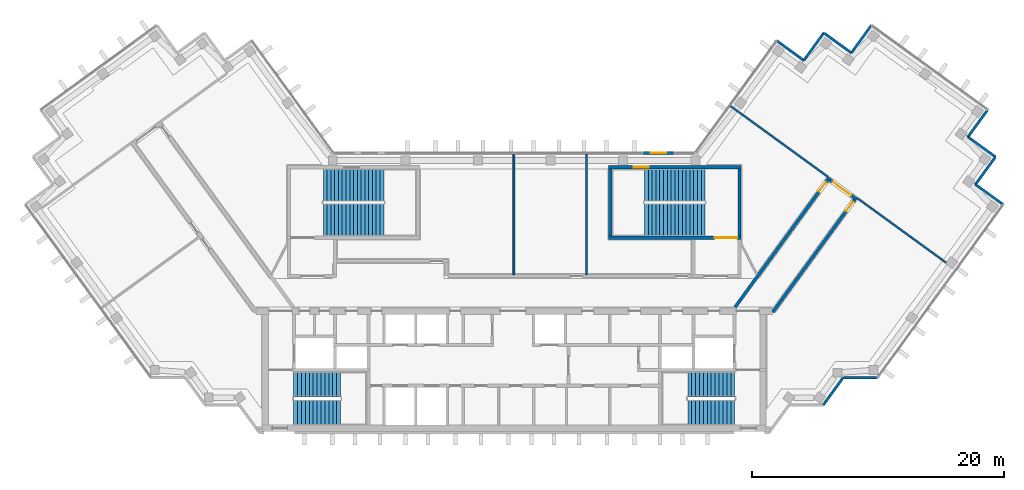
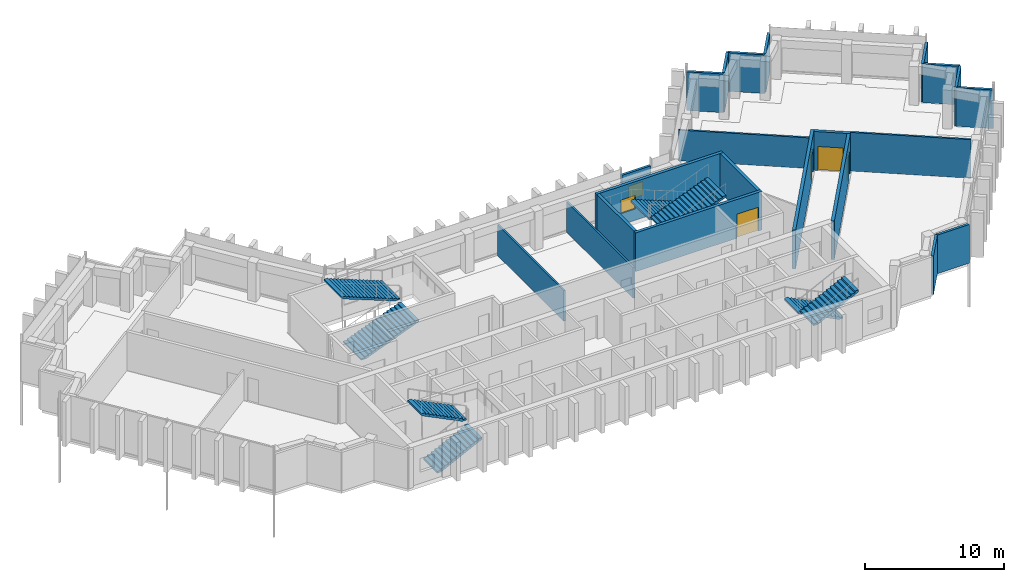
# One storey, part 11 of 13: 22 walls, 8 stair flights, 4 doors, 2 windows, 6 openings, 4 elements without a shape of their own.
"""IFC4 building model written with IfcOpenShell, lengths in metres."""

from ifc_helpers import new_model, si_unit, direction, frame, frame_2d, origin, place, context, subcontext, project, spatial, polyline, rectangle, outline, extrude, material, layer, layer_set, type_object, element, fill, aggregate, save


model = new_model("IFC4")

# Units and contexts
model_context = context("Model", 3, precision=1e-05, world=origin(), true_north=direction((0.0, 1.0)))
body_context = subcontext(model_context, "Body", "Model", "MODEL_VIEW")
ifc_project = project(units=[si_unit("LENGTHUNIT", "METRE"), si_unit("AREAUNIT", "SQUARE_METRE"), si_unit("VOLUMEUNIT", "CUBIC_METRE"), si_unit("PLANEANGLEUNIT", "RADIAN"), si_unit("MASSUNIT", "GRAM", prefix="KILO")], contexts=[model_context])

# Site, building, storey
site_placement = place(None, origin())
site = spatial("IfcSite", under=ifc_project, at=site_placement, CompositionType="ELEMENT")
building_placement = place(site_placement, origin())
building = spatial("IfcBuilding", under=site, at=building_placement, Name="Quipu Civic Tower", CompositionType="ELEMENT")
storey_placement = place(building_placement, frame((0.0, 0.0, 297.0)))
storey = spatial("IfcBuildingStorey", under=building, at=storey_placement, Name="L69", CompositionType="ELEMENT", Elevation=297.0)

# Walls
ifc_material_1 = material(Name="Double gypsum plasterboard with mineral wool")
ifc_layer_1 = layer(ifc_material_1, 0.14990234375)
ifc_layer_set_1 = layer_set([ifc_layer_1], Name="Double gypsum plasterboard with mineral wool")
wall_type_1 = type_object("IfcWallType", Name="Acoustic partition 150 plasterboard", PredefinedType="PARTITIONING", material=ifc_layer_set_1)
wall_1_placement = place(storey_placement, frame((24.89794921875, 9.20947265625, 0.0), z_axis=(0.0, 0.0, 1.0), x_axis=(-0.809013490065, 0.587790075531, 0.0)))
element("IfcWall", 1, at=wall_1_placement, inside=storey, type_object=wall_type_1, Name="Partition P01", PredefinedType="PARTITIONING", context=body_context, shape_type="SweptSolid", body=[
    extrude(rectangle(XDim=9.54931640625, YDim=0.14990234375, at=frame_2d((4.774658203125, 0.0))), origin(), (0.0, 0.0, 1.0), 2.699951171875),
])
wall_2_placement = place(storey_placement, frame((34.279296875, 2.39404296875, 0.0), z_axis=(0.0, 0.0, 1.0), x_axis=(-0.809032260458, 0.587764239758, 0.0)))
element("IfcWall", 2, at=wall_2_placement, inside=storey, type_object=wall_type_1, Name="Partition P02", PredefinedType="PARTITIONING", context=body_context, shape_type="SweptSolid", body=[
    extrude(rectangle(XDim=8.694580078125, YDim=0.14990234375, at=frame_2d((4.34716796875, 0.0))), origin(), (0.0, 0.0, 1.0), 3.39990234375),
])
for number, where, z_axis, x_axis, name in (
    (3, (-0.02001953125, 1.449951171875, 0.0), (0.0, 0.0, 1.0), (0.0, 1.0, 0.0), "Partition P05"),
    (4, (5.738037109375, 1.449951171875, 0.0), (0.0, 0.0, 1.0), (0.0, 1.0, 0.0), "Partition P07"),
):
    element("IfcWall", number, at=place(storey_placement, frame(where, z_axis=z_axis, x_axis=x_axis)), inside=storey, type_object=wall_type_1, Name=name, PredefinedType="PARTITIONING", context=body_context, shape_type="SweptSolid", body=[
        extrude(rectangle(XDim=9.550048828125, YDim=0.14990234375, at=frame_2d((4.77490234375, 0.0))), origin(), (0.0, 0.0, 1.0), 2.699951171875),
    ])

# Wall, opening, door
ifc_material_2 = material(Name="Concrete C70/85", Category="concrete")
ifc_layer_2 = layer(ifc_material_2, 0.25)
ifc_layer_set_2 = layer_set([ifc_layer_2], Name="Concrete C70/85")
wall_type_2 = type_object("IfcWallType", Name="Core wall 250", PredefinedType="SHEAR", material=ifc_layer_set_2)
wall_3_placement = place(storey_placement, frame((7.5, 4.375, 0.0), z_axis=(0.0, 0.0, 1.0), x_axis=(1.0, 0.0, 0.0)))
wall_3 = element("IfcWall", 5, at=wall_3_placement, inside=storey, type_object=wall_type_2, Name="Core wall", PredefinedType="SHEAR", context=body_context, shape_type="SweptSolid", body=[
    extrude(rectangle(XDim=10.5, YDim=0.25, at=frame_2d((5.25, 0.0))), origin(), (0.0, 0.0, 1.0), 3.39990234375),
])
opening_1_placement = place(wall_3_placement, frame((8.39990234375, 0.0, 0.0)))
opening_1 = element("IfcOpeningElement", 6, at=opening_1_placement, cuts=wall_3, Name="Opening CD-28", PredefinedType="OPENING", context=body_context, shape_type="SweptSolid", body=[
    extrude(rectangle(XDim=1.800048828125, YDim=2.10009765625, at=frame_2d((0.89990234375, 1.050048828125))), frame((0.0, 0.135009765625, 0.0), z_axis=(0.0, -1.0, 0.0), x_axis=(1.0, 0.0, 0.0)), (0.0, 0.0, 1.0), 0.27001953125),
])
ifc_material_3 = material(Name="Fire rated steel door", Category="steel")
door_type_1 = type_object("IfcDoorType", Name="Fire door FD90 double 1800 x 2100", OperationType="NOTDEFINED", PredefinedType="DOOR", material=ifc_material_3)
door_1_placement = place(opening_1_placement, origin())
door_1 = element("IfcDoor", 7, at=door_1_placement, inside=storey, type_object=door_type_1, Name="Door", OperationType="DOUBLE_DOOR_SINGLE_SWING", OverallHeight=2.10009765625, OverallWidth=1.800048828125, PredefinedType="DOOR", context=body_context, shape_type="SweptSolid", body=[
    extrude(rectangle(XDim=1.800048828125, YDim=2.10009765625, at=frame_2d((0.89990234375, 1.050048828125))), frame((0.0, 0.02490234375, 0.0), z_axis=(0.0, -1.0, 0.0), x_axis=(1.0, 0.0, 0.0)), (0.0, 0.0, 1.0), 0.050048828125),
])
fill(opening_1, door_1)

# Walls
for number, where, z_axis, x_axis, name in (
    (8, (7.625, 4.5, 0.0), (0.0, 0.0, 1.0), (0.0, 1.0, 0.0), "Core wall"),
    (9, (17.875, 4.5, 0.0), (0.0, 0.0, 1.0), (0.0, 1.0, 0.0), "Core wall"),
):
    element("IfcWall", number, at=place(storey_placement, frame(where, z_axis=z_axis, x_axis=x_axis)), inside=storey, type_object=wall_type_2, Name=name, PredefinedType="SHEAR", context=body_context, shape_type="SweptSolid", body=[
        extrude(rectangle(XDim=5.35009765625, YDim=0.25, at=frame_2d((2.675048828125, 0.0))), origin(), (0.0, 0.0, 1.0), 3.39990234375),
    ])

# Wall, opening, window
wall_4_placement = place(storey_placement, frame((7.5, 9.97509765625, 0.0), z_axis=(0.0, 0.0, 1.0), x_axis=(1.0, 0.0, 0.0)))
wall_4 = element("IfcWall", 10, at=wall_4_placement, inside=storey, type_object=wall_type_2, Name="Core wall", PredefinedType="SHEAR", context=body_context, shape_type="SweptSolid", body=[
    extrude(rectangle(XDim=10.5, YDim=0.25, at=frame_2d((5.25, 0.0))), origin(), (0.0, 0.0, 1.0), 3.39990234375),
])
opening_2_placement = place(wall_4_placement, frame((2.0, 0.0, 1.0)))
opening_2 = element("IfcOpeningElement", 11, at=opening_2_placement, cuts=wall_4, Name="Opening SV-4", PredefinedType="OPENING", context=body_context, shape_type="SweptSolid", body=[
    extrude(rectangle(XDim=1.199951171875, YDim=1.199951171875, at=frame_2d((0.60009765625, 0.60009765625))), frame((0.0, 0.135009765625, 0.0), z_axis=(0.0, -1.0, 0.0), x_axis=(1.0, 0.0, 0.0)), (0.0, 0.0, 1.0), 0.27001953125),
])
ifc_material_4 = material(Name="Aluminium louvre", Category="aluminium")
window_type_1 = type_object("IfcWindowType", Name="Stair ventilation louvre 1200 x 1200", PartitioningType="SINGLE_PANEL", PredefinedType="WINDOW", material=ifc_material_4)
window_1_placement = place(opening_2_placement, origin())
window_1 = element("IfcWindow", 12, at=window_1_placement, inside=storey, type_object=window_type_1, Name="Stair ventilation opening", OverallHeight=1.199951171875, OverallWidth=1.199951171875, PartitioningType="SINGLE_PANEL", PredefinedType="WINDOW", context=body_context, shape_type="SweptSolid", body=[
    extrude(rectangle(XDim=1.199951171875, YDim=1.199951171875, at=frame_2d((0.60009765625, 0.60009765625))), frame((0.0, 0.030029296875, 0.0), z_axis=(0.0, -1.0, 0.0), x_axis=(1.0, 0.0, 0.0)), (0.0, 0.0, 1.0), 0.06005859375),
])
fill(opening_2, window_1)

# Wall, opening, door
ifc_material_5 = material(Name="Concrete C50/60", Category="concrete")
ifc_layer_3 = layer(ifc_material_5, 0.25)
ifc_layer_set_3 = layer_set([ifc_layer_3], Name="Concrete C50/60")
wall_type_3 = type_object("IfcWallType", Name="Corridor wall 250 concrete", PredefinedType="SOLIDWALL", material=ifc_layer_set_3)
wall_5_placement = place(storey_placement, frame((17.544921875, -1.124755859375, 0.0), z_axis=(0.0, 0.0, 1.0), x_axis=(0.587796810203, 0.809008596935, 0.0)))
wall_5 = element("IfcWall", 13, at=wall_5_placement, inside=storey, type_object=wall_type_3, Name="Corridor wall C01", PredefinedType="SOLIDWALL", context=body_context, shape_type="SweptSolid", body=[
    extrude(rectangle(XDim=12.703125, YDim=0.25, at=frame_2d((6.3515625, 0.0))), origin(), (0.0, 0.0, 1.0), 3.39990234375),
])
opening_3_placement = place(wall_5_placement, frame((11.32861328125, 0.0, 0.0)))
opening_3 = element("IfcOpeningElement", 14, at=opening_3_placement, cuts=wall_5, Name="Opening D001", PredefinedType="OPENING", context=body_context, shape_type="SweptSolid", body=[
    extrude(rectangle(XDim=0.89990234375, YDim=2.10009765625, at=frame_2d((0.449951171875, 1.050048828125))), frame((0.0, 0.135009765625, 0.0), z_axis=(0.0, -1.0, 0.0), x_axis=(1.0, 0.0, 0.0)), (0.0, 0.0, 1.0), 0.27001953125),
])
ifc_material_6 = material(Name="Fire rated timber door set with metal frame", Category="wood")
door_type_2 = type_object("IfcDoorType", Name="Single door 900 x 2100 FD60", OperationType="NOTDEFINED", PredefinedType="DOOR", material=ifc_material_6)
door_2_placement = place(opening_3_placement, origin())
door_2 = element("IfcDoor", 15, at=door_2_placement, inside=storey, type_object=door_type_2, Name="Door D001", OperationType="SINGLE_SWING_RIGHT", OverallHeight=2.10009765625, OverallWidth=0.89990234375, PredefinedType="DOOR", context=body_context, shape_type="SweptSolid", body=[
    extrude(rectangle(XDim=0.89990234375, YDim=2.10009765625, at=frame_2d((0.449951171875, 1.050048828125))), frame((0.0, 0.02490234375, 0.0), z_axis=(0.0, -1.0, 0.0), x_axis=(1.0, 0.0, 0.0)), (0.0, 0.0, 1.0), 0.050048828125),
])
fill(opening_3, door_2)

wall_6_placement = place(storey_placement, frame((25.039306640625, 8.9775390625, 0.0), z_axis=(0.0, 0.0, 1.0), x_axis=(0.809006914995, -0.587799125119, 0.0)))
wall_6 = element("IfcWall", 16, at=wall_6_placement, inside=storey, type_object=wall_type_3, Name="Corridor wall C02", PredefinedType="SOLIDWALL", context=body_context, shape_type="SweptSolid", body=[
    extrude(rectangle(XDim=2.64990234375, YDim=0.25, at=frame_2d((1.324951171875, 0.0))), origin(), (0.0, 0.0, 1.0), 3.39990234375),
])
opening_4_placement = place(wall_6_placement, frame((0.300537109375, 0.0, 0.0)))
opening_4 = element("IfcOpeningElement", 17, at=opening_4_placement, cuts=wall_6, Name="Opening D003", PredefinedType="OPENING", context=body_context, shape_type="SweptSolid", body=[
    extrude(rectangle(XDim=1.800048828125, YDim=2.10009765625, at=frame_2d((0.89990234375, 1.050048828125))), frame((0.0, 0.135009765625, 0.0), z_axis=(0.0, -1.0, 0.0), x_axis=(1.0, 0.0, 0.0)), (0.0, 0.0, 1.0), 0.27001953125),
])
ifc_material_7 = material(Name="Fire rated timber door set with metal frame", Category="wood")
door_type_3 = type_object("IfcDoorType", Name="Double door 1800 x 2100 FD60", OperationType="DOUBLE_DOOR_SINGLE_SWING", PredefinedType="DOOR", material=ifc_material_7)
door_3_placement = place(opening_4_placement, origin())
door_3 = element("IfcDoor", 18, at=door_3_placement, inside=storey, type_object=door_type_3, Name="Door D003", OperationType="DOUBLE_DOOR_SINGLE_SWING", OverallHeight=2.10009765625, OverallWidth=1.800048828125, PredefinedType="DOOR", context=body_context, shape_type="SweptSolid", body=[
    extrude(rectangle(XDim=1.800048828125, YDim=2.10009765625, at=frame_2d((0.89990234375, 1.050048828125))), frame((0.0, 0.02490234375, 0.0), z_axis=(0.0, -1.0, 0.0), x_axis=(1.0, 0.0, 0.0)), (0.0, 0.0, 1.0), 0.050048828125),
])
fill(opening_4, door_3)

wall_7_placement = place(storey_placement, frame((27.008544921875, 7.392333984375, 0.0), z_axis=(0.0, 0.0, 1.0), x_axis=(-0.587776457057, -0.809023384414, 0.0)))
wall_7 = element("IfcWall", 19, at=wall_7_placement, inside=storey, type_object=wall_type_3, Name="Corridor wall C03", PredefinedType="SOLIDWALL", context=body_context, shape_type="SweptSolid", body=[
    extrude(rectangle(XDim=11.0205078125, YDim=0.25, at=frame_2d((5.51025390625, 0.0))), origin(), (0.0, 0.0, 1.0), 3.39990234375),
])
opening_5_placement = place(wall_7_placement, frame((0.224609375, 0.0, 0.0)))
opening_5 = element("IfcOpeningElement", 20, at=opening_5_placement, cuts=wall_7, Name="Opening D002", PredefinedType="OPENING", context=body_context, shape_type="SweptSolid", body=[
    extrude(rectangle(XDim=0.89990234375, YDim=2.10009765625, at=frame_2d((0.449951171875, 1.050048828125))), frame((0.0, 0.135009765625, 0.0), z_axis=(0.0, -1.0, 0.0), x_axis=(1.0, 0.0, 0.0)), (0.0, 0.0, 1.0), 0.27001953125),
])
door_4_placement = place(opening_5_placement, origin())
door_4 = element("IfcDoor", 21, at=door_4_placement, inside=storey, type_object=door_type_2, Name="Door D002", OperationType="SINGLE_SWING_LEFT", OverallHeight=2.10009765625, OverallWidth=0.89990234375, PredefinedType="DOOR", context=body_context, shape_type="SweptSolid", body=[
    extrude(rectangle(XDim=0.89990234375, YDim=2.10009765625, at=frame_2d((0.449951171875, 1.050048828125))), frame((0.0, 0.02490234375, 0.0), z_axis=(0.0, -1.0, 0.0), x_axis=(1.0, 0.0, 0.0)), (0.0, 0.0, 1.0), 0.050048828125),
])
fill(opening_5, door_4)

# Walls
ifc_material_8 = material(Name="Precast concrete C40/50", Category="concrete")
wall_type_4 = type_object("IfcWallType", Name="Precast cladding wall", PredefinedType="SOLIDWALL", material=ifc_material_8)
wall_8_placement = place(storey_placement, frame((24.533203125, -8.90869140625, 0.0), z_axis=(0.0, 0.0, 1.0), x_axis=(0.587720002413, 0.809064397168, 0.0)))
element("IfcWall", 22, at=wall_8_placement, inside=storey, type_object=wall_type_4, Name="Precast cladding wall L69 P22", PredefinedType="SOLIDWALL", context=body_context, shape_type="SweptSolid", body=[
    extrude(rectangle(XDim=2.7001953125, YDim=0.199951171875, at=frame_2d((1.35009765625, 0.0))), origin(), (0.0, 0.0, 1.0), 3.39990234375),
])
for number, where, z_axis, x_axis, name in (
    (23, (26.1298828125, -6.71923828125, 0.0), (0.0, 0.0, 1.0), (1.0, 0.0, 0.0), "Precast cladding wall L69 P23"),
    (24, (38.813720703125, 7.010498046875, 0.0), (0.0, 0.0, 1.0), (-0.809033161865, 0.587762999008, 0.0), "Precast cladding wall L69 P25"),
    (25, (36.60205078125, 8.580322265625, 0.0), (0.0, 0.0, 1.0), (0.587822180636, 0.808990163075, 0.0), "Precast cladding wall L69 P26"),
    (26, (38.21630859375, 10.78173828125, 0.0), (0.0, 0.0, 1.0), (-0.809033161865, 0.587762999008, 0.0), "Precast cladding wall L69 P27"),
    (27, (36.0048828125, 12.3515625, 0.0), (0.0, 0.0, 1.0), (0.587762999008, 0.809033161865, 0.0), "Precast cladding wall L69 P28"),
):
    element("IfcWall", number, at=place(storey_placement, frame(where, z_axis=z_axis, x_axis=x_axis)), inside=storey, type_object=wall_type_4, Name=name, PredefinedType="SOLIDWALL", context=body_context, shape_type="SweptSolid", body=[
        extrude(rectangle(XDim=2.699951171875, YDim=0.199951171875, at=frame_2d((1.35009765625, 0.0))), origin(), (0.0, 0.0, 1.0), 3.39990234375),
    ])
for number, where, z_axis, x_axis, name in (
    (28, (28.3544921875, 21.247314453125, 0.0), (0.0, 0.0, 1.0), (-0.587720002413, -0.809064397168, 0.0), "Precast cladding wall L69 P30"),
    (29, (26.78466796875, 19.03564453125, 0.0), (0.0, 0.0, 1.0), (-0.809064397168, 0.587720002413, 0.0), "Precast cladding wall L69 P31"),
):
    element("IfcWall", number, at=place(storey_placement, frame(where, z_axis=z_axis, x_axis=x_axis)), inside=storey, type_object=wall_type_4, Name=name, PredefinedType="SOLIDWALL", context=body_context, shape_type="SweptSolid", body=[
        extrude(rectangle(XDim=2.7001953125, YDim=0.199951171875, at=frame_2d((1.35009765625, 0.0))), origin(), (0.0, 0.0, 1.0), 3.39990234375),
    ])
for number, where, z_axis, x_axis, name in (
    (30, (24.583251953125, 20.64990234375, 0.0), (0.0, 0.0, 1.0), (-0.587762999008, -0.809033161865, 0.0), "Precast cladding wall L69 P32"),
    (31, (23.01318359375, 18.438232421875, 0.0), (0.0, 0.0, 1.0), (-0.808990163075, 0.587822180636, 0.0), "Precast cladding wall L69 P33"),
):
    element("IfcWall", number, at=place(storey_placement, frame(where, z_axis=z_axis, x_axis=x_axis)), inside=storey, type_object=wall_type_4, Name=name, PredefinedType="SOLIDWALL", context=body_context, shape_type="SweptSolid", body=[
        extrude(rectangle(XDim=2.699951171875, YDim=0.199951171875, at=frame_2d((1.35009765625, 0.0))), origin(), (0.0, 0.0, 1.0), 3.39990234375),
    ])

# Wall, opening, window
wall_9_placement = place(storey_placement, frame((12.655029296875, 11.10009765625, 0.0), z_axis=(0.0, 0.0, 1.0), x_axis=(-1.0, 0.0, 0.0)))
wall_9 = element("IfcWall", 32, at=wall_9_placement, inside=storey, type_object=wall_type_4, Name="Vent surround SF-L66-2", PredefinedType="SOLIDWALL", context=body_context, shape_type="SweptSolid", body=[
    extrude(rectangle(XDim=2.3916015625, YDim=0.199951171875, at=frame_2d((1.19580078125, 0.0))), origin(), (0.0, 0.0, 1.0), 3.39990234375),
])
opening_6_placement = place(wall_9_placement, frame((0.595703125, 0.0, 1.0)))
opening_6 = element("IfcOpeningElement", 33, at=opening_6_placement, cuts=wall_9, Name="Opening SF-L66-2", PredefinedType="OPENING", context=body_context, shape_type="SweptSolid", body=[
    extrude(rectangle(XDim=1.199951171875, YDim=1.199951171875, at=frame_2d((0.60009765625, 0.60009765625))), frame((0.0, 0.10986328125, 0.0), z_axis=(0.0, -1.0, 0.0), x_axis=(1.0, 0.0, 0.0)), (0.0, 0.0, 1.0), 0.219970703125),
])
ifc_material_9 = material(Name="Anodised aluminium louvre", Category="aluminium")
window_type_2 = type_object("IfcWindowType", Name="Stair vent louvre window P3", PartitioningType="SINGLE_PANEL", PredefinedType="WINDOW", material=ifc_material_9)
window_2_placement = place(opening_6_placement, origin())
window_2 = element("IfcWindow", 34, at=window_2_placement, inside=storey, type_object=window_type_2, Name="Stair vent louvre SF-L66-2", OverallHeight=1.199951171875, OverallWidth=1.199951171875, PartitioningType="SINGLE_PANEL", PredefinedType="WINDOW", context=body_context, shape_type="SweptSolid", body=[
    extrude(rectangle(XDim=1.199951171875, YDim=1.199951171875, at=frame_2d((0.60009765625, 0.60009765625))), frame((0.0, 0.030029296875, 0.0), z_axis=(0.0, -1.0, 0.0), x_axis=(1.0, 0.0, 0.0)), (0.0, 0.0, 1.0), 0.06005859375),
])
fill(opening_6, window_2)

# Stair, stair flights
ifc_material_10 = material(Name="Concrete C40/50", Category="concrete")
stair_type_1 = type_object("IfcStairType", Name="Half turn stair 2000", PredefinedType="HALF_TURN_STAIR", material=ifc_material_10)
stair_1_placement = place(storey_placement, origin())
stair_1 = element("IfcStair", 35, at=stair_1_placement, inside=storey, type_object=stair_type_1, Name="Exit stair 1", PredefinedType="HALF_TURN_STAIR")
ifc_material_11 = material(Name="Concrete C40/50", Category="concrete")
stair_flight_type_1 = type_object("IfcStairFlightType", Name="Stair flight 2000", PredefinedType="STRAIGHT", material=ifc_material_11)
stair_flight_1_placement = place(storey_placement, frame((-17.5, -9.5, 0.0), z_axis=(0.0, 0.0, 1.0), x_axis=(1.0, 0.0, 0.0)))
stair_flight_1 = element("IfcStairFlight", 36, at=stair_flight_1_placement, type_object=stair_flight_type_1, Name="ST-1 flight 1", NumberOfRisers=13, NumberOfTreads=12, PredefinedType="STRAIGHT", RiserHeight=0.153846154, TreadLength=0.31, context=body_context, shape_type="SweptSolid", body=[
    extrude(outline(polyline([(0.0, 0.0), (0.0, 0.15380859375), (0.31005859375, 0.15380859375), (0.31005859375, 0.3076171875), (0.6201171875, 0.3076171875), (0.6201171875, 0.46142578125), (0.929931640625, 0.46142578125), (0.929931640625, 0.615478515625), (1.239990234375, 0.615478515625), (1.239990234375, 0.769287109375), (1.550048828125, 0.769287109375), (1.550048828125, 0.923095703125), (1.860107421875, 0.923095703125), (1.860107421875, 1.076904296875), (2.169921875, 1.076904296875), (2.169921875, 1.230712890625), (2.47998046875, 1.230712890625), (2.47998046875, 1.384521484375), (2.7900390625, 1.384521484375), (2.7900390625, 1.53857421875), (3.10009765625, 1.53857421875), (3.10009765625, 1.6923828125), (3.409912109375, 1.6923828125), (3.409912109375, 1.84619140625), (3.719970703125, 1.84619140625), (3.719970703125, 2.0), (3.719970703125, 1.6787109375), (0.337158203125, 0.0), (0.0, 0.0)])), frame((0.0, 1.0, 0.0), z_axis=(0.0, -1.0, 0.0), x_axis=(1.0, 0.0, 0.0)), (0.0, 0.0, 1.0), 2.0),
])
stair_flight_2_placement = place(storey_placement, frame((-13.780029296875, -7.25, 2.0), z_axis=(0.0, 0.0, 1.0), x_axis=(-1.0, 0.0, 0.0)))
stair_flight_2 = element("IfcStairFlight", 37, at=stair_flight_2_placement, type_object=stair_flight_type_1, Name="ST-1 flight 2", NumberOfRisers=13, NumberOfTreads=12, PredefinedType="STRAIGHT", RiserHeight=0.153846154, TreadLength=0.31, context=body_context, shape_type="SweptSolid", body=[
    extrude(outline(polyline([(0.0, 0.0), (0.0, 0.15380859375), (0.31005859375, 0.15380859375), (0.31005859375, 0.3076171875), (0.6201171875, 0.3076171875), (0.6201171875, 0.46142578125), (0.929931640625, 0.46142578125), (0.929931640625, 0.615478515625), (1.239990234375, 0.615478515625), (1.239990234375, 0.769287109375), (1.550048828125, 0.769287109375), (1.550048828125, 0.923095703125), (1.860107421875, 0.923095703125), (1.860107421875, 1.076904296875), (2.169921875, 1.076904296875), (2.169921875, 1.230712890625), (2.47998046875, 1.230712890625), (2.47998046875, 1.384521484375), (2.7900390625, 1.384521484375), (2.7900390625, 1.53857421875), (3.10009765625, 1.53857421875), (3.10009765625, 1.6923828125), (3.409912109375, 1.6923828125), (3.409912109375, 1.84619140625), (3.719970703125, 1.84619140625), (3.719970703125, 2.0), (3.719970703125, 1.6787109375), (0.337158203125, 0.0), (0.0, 0.0)])), frame((0.0, 1.0, 0.0), z_axis=(0.0, -1.0, 0.0), x_axis=(1.0, 0.0, 0.0)), (0.0, 0.0, 1.0), 2.0),
])
aggregate(stair_1, [stair_flight_1, stair_flight_2])

stair_2_placement = place(storey_placement, origin())
stair_2 = element("IfcStair", 38, at=stair_2_placement, inside=storey, type_object=stair_type_1, Name="Exit stair 2", PredefinedType="HALF_TURN_STAIR")
stair_flight_3_placement = place(storey_placement, frame((17.5, -7.25, 0.0), z_axis=(0.0, 0.0, 1.0), x_axis=(-1.0, 0.0, 0.0)))
stair_flight_3 = element("IfcStairFlight", 39, at=stair_flight_3_placement, type_object=stair_flight_type_1, Name="ST-2 flight 1", NumberOfRisers=13, NumberOfTreads=12, PredefinedType="STRAIGHT", RiserHeight=0.153846154, TreadLength=0.31, context=body_context, shape_type="SweptSolid", body=[
    extrude(outline(polyline([(0.0, 0.0), (0.0, 0.15380859375), (0.31005859375, 0.15380859375), (0.31005859375, 0.3076171875), (0.6201171875, 0.3076171875), (0.6201171875, 0.46142578125), (0.929931640625, 0.46142578125), (0.929931640625, 0.615478515625), (1.239990234375, 0.615478515625), (1.239990234375, 0.769287109375), (1.550048828125, 0.769287109375), (1.550048828125, 0.923095703125), (1.860107421875, 0.923095703125), (1.860107421875, 1.076904296875), (2.169921875, 1.076904296875), (2.169921875, 1.230712890625), (2.47998046875, 1.230712890625), (2.47998046875, 1.384521484375), (2.7900390625, 1.384521484375), (2.7900390625, 1.53857421875), (3.10009765625, 1.53857421875), (3.10009765625, 1.6923828125), (3.409912109375, 1.6923828125), (3.409912109375, 1.84619140625), (3.719970703125, 1.84619140625), (3.719970703125, 2.0), (3.719970703125, 1.6787109375), (0.337158203125, 0.0), (0.0, 0.0)])), frame((0.0, 1.0, 0.0), z_axis=(0.0, -1.0, 0.0), x_axis=(1.0, 0.0, 0.0)), (0.0, 0.0, 1.0), 2.0),
])
stair_flight_4_placement = place(storey_placement, frame((13.780029296875, -9.5, 2.0), z_axis=(0.0, 0.0, 1.0), x_axis=(1.0, 0.0, 0.0)))
stair_flight_4 = element("IfcStairFlight", 40, at=stair_flight_4_placement, type_object=stair_flight_type_1, Name="ST-2 flight 2", NumberOfRisers=13, NumberOfTreads=12, PredefinedType="STRAIGHT", RiserHeight=0.153846154, TreadLength=0.31, context=body_context, shape_type="SweptSolid", body=[
    extrude(outline(polyline([(0.0, 0.0), (0.0, 0.15380859375), (0.31005859375, 0.15380859375), (0.31005859375, 0.3076171875), (0.6201171875, 0.3076171875), (0.6201171875, 0.46142578125), (0.929931640625, 0.46142578125), (0.929931640625, 0.615478515625), (1.239990234375, 0.615478515625), (1.239990234375, 0.769287109375), (1.550048828125, 0.769287109375), (1.550048828125, 0.923095703125), (1.860107421875, 0.923095703125), (1.860107421875, 1.076904296875), (2.169921875, 1.076904296875), (2.169921875, 1.230712890625), (2.47998046875, 1.230712890625), (2.47998046875, 1.384521484375), (2.7900390625, 1.384521484375), (2.7900390625, 1.53857421875), (3.10009765625, 1.53857421875), (3.10009765625, 1.6923828125), (3.409912109375, 1.6923828125), (3.409912109375, 1.84619140625), (3.719970703125, 1.84619140625), (3.719970703125, 2.0), (3.719970703125, 1.6787109375), (0.337158203125, 0.0), (0.0, 0.0)])), frame((0.0, 1.0, 0.0), z_axis=(0.0, -1.0, 0.0), x_axis=(1.0, 0.0, 0.0)), (0.0, 0.0, 1.0), 2.0),
])
aggregate(stair_2, [stair_flight_3, stair_flight_4])

ifc_material_12 = material(Name="Concrete C40/50", Category="concrete")
stair_type_2 = type_object("IfcStairType", Name="Half turn stair 2600", PredefinedType="HALF_TURN_STAIR", material=ifc_material_12)
stair_3_placement = place(storey_placement, origin())
stair_3 = element("IfcStair", 41, at=stair_3_placement, inside=storey, type_object=stair_type_2, Name="Exit stair 3", PredefinedType="HALF_TURN_STAIR")
ifc_material_13 = material(Name="Concrete C40/50", Category="concrete")
stair_flight_type_2 = type_object("IfcStairFlightType", Name="Stair flight 2600", PredefinedType="STRAIGHT", material=ifc_material_13)
stair_flight_5_placement = place(storey_placement, frame((-15.14990234375, 5.800048828125, 0.0), z_axis=(0.0, 0.0, 1.0), x_axis=(1.0, 0.0, 0.0)))
stair_flight_5 = element("IfcStairFlight", 42, at=stair_flight_5_placement, type_object=stair_flight_type_2, Name="ST-3 flight 1", NumberOfRisers=17, NumberOfTreads=16, PredefinedType="STRAIGHT", RiserHeight=0.117647059, TreadLength=0.3, context=body_context, shape_type="SweptSolid", body=[
    extrude(outline(polyline([(0.0, 0.0), (0.0, 0.11767578125), (0.300048828125, 0.11767578125), (0.300048828125, 0.2353515625), (0.60009765625, 0.2353515625), (0.60009765625, 0.35302734375), (0.89990234375, 0.35302734375), (0.89990234375, 0.470703125), (1.199951171875, 0.470703125), (1.199951171875, 0.588134765625), (1.5, 0.588134765625), (1.5, 0.705810546875), (1.800048828125, 0.705810546875), (1.800048828125, 0.823486328125), (2.10009765625, 0.823486328125), (2.10009765625, 0.941162109375), (2.39990234375, 0.941162109375), (2.39990234375, 1.058837890625), (2.699951171875, 1.058837890625), (2.699951171875, 1.176513671875), (3.0, 1.176513671875), (3.0, 1.294189453125), (3.300048828125, 1.294189453125), (3.300048828125, 1.411865234375), (3.60009765625, 1.411865234375), (3.60009765625, 1.529296875), (3.89990234375, 1.529296875), (3.89990234375, 1.64697265625), (4.199951171875, 1.64697265625), (4.199951171875, 1.7646484375), (4.5, 1.7646484375), (4.5, 1.88232421875), (4.800048828125, 1.88232421875), (4.800048828125, 2.0), (4.800048828125, 1.721435546875), (0.41064453125, 0.0), (0.0, 0.0)])), frame((0.0, 1.300048828125, 0.0), z_axis=(0.0, -1.0, 0.0), x_axis=(1.0, 0.0, 0.0)), (0.0, 0.0, 1.0), 2.60009765625),
])
stair_flight_6_placement = place(storey_placement, frame((-10.35009765625, 8.550048828125, 2.0), z_axis=(0.0, 0.0, 1.0), x_axis=(-1.0, 0.0, 0.0)))
stair_flight_6 = element("IfcStairFlight", 43, at=stair_flight_6_placement, type_object=stair_flight_type_2, Name="ST-3 flight 2", NumberOfRisers=17, NumberOfTreads=16, PredefinedType="STRAIGHT", RiserHeight=0.117647059, TreadLength=0.3, context=body_context, shape_type="SweptSolid", body=[
    extrude(outline(polyline([(0.0, 0.0), (0.0, 0.11767578125), (0.300048828125, 0.11767578125), (0.300048828125, 0.2353515625), (0.60009765625, 0.2353515625), (0.60009765625, 0.35302734375), (0.89990234375, 0.35302734375), (0.89990234375, 0.470703125), (1.199951171875, 0.470703125), (1.199951171875, 0.588134765625), (1.5, 0.588134765625), (1.5, 0.705810546875), (1.800048828125, 0.705810546875), (1.800048828125, 0.823486328125), (2.10009765625, 0.823486328125), (2.10009765625, 0.941162109375), (2.39990234375, 0.941162109375), (2.39990234375, 1.058837890625), (2.699951171875, 1.058837890625), (2.699951171875, 1.176513671875), (3.0, 1.176513671875), (3.0, 1.294189453125), (3.300048828125, 1.294189453125), (3.300048828125, 1.411865234375), (3.60009765625, 1.411865234375), (3.60009765625, 1.529296875), (3.89990234375, 1.529296875), (3.89990234375, 1.64697265625), (4.199951171875, 1.64697265625), (4.199951171875, 1.7646484375), (4.5, 1.7646484375), (4.5, 1.88232421875), (4.800048828125, 1.88232421875), (4.800048828125, 2.0), (4.800048828125, 1.721435546875), (0.41064453125, 0.0), (0.0, 0.0)])), frame((0.0, 1.300048828125, 0.0), z_axis=(0.0, -1.0, 0.0), x_axis=(1.0, 0.0, 0.0)), (0.0, 0.0, 1.0), 2.60009765625),
])
aggregate(stair_3, [stair_flight_5, stair_flight_6])

stair_4_placement = place(storey_placement, origin())
stair_4 = element("IfcStair", 44, at=stair_4_placement, inside=storey, type_object=stair_type_2, Name="Exit stair 4", PredefinedType="HALF_TURN_STAIR")
stair_flight_7_placement = place(storey_placement, frame((15.14990234375, 8.550048828125, 0.0), z_axis=(0.0, 0.0, 1.0), x_axis=(-1.0, 0.0, 0.0)))
stair_flight_7 = element("IfcStairFlight", 45, at=stair_flight_7_placement, type_object=stair_flight_type_2, Name="ST-4 flight 1", NumberOfRisers=17, NumberOfTreads=16, PredefinedType="STRAIGHT", RiserHeight=0.117647059, TreadLength=0.3, context=body_context, shape_type="SweptSolid", body=[
    extrude(outline(polyline([(0.0, 0.0), (0.0, 0.11767578125), (0.300048828125, 0.11767578125), (0.300048828125, 0.2353515625), (0.60009765625, 0.2353515625), (0.60009765625, 0.35302734375), (0.89990234375, 0.35302734375), (0.89990234375, 0.470703125), (1.199951171875, 0.470703125), (1.199951171875, 0.588134765625), (1.5, 0.588134765625), (1.5, 0.705810546875), (1.800048828125, 0.705810546875), (1.800048828125, 0.823486328125), (2.10009765625, 0.823486328125), (2.10009765625, 0.941162109375), (2.39990234375, 0.941162109375), (2.39990234375, 1.058837890625), (2.699951171875, 1.058837890625), (2.699951171875, 1.176513671875), (3.0, 1.176513671875), (3.0, 1.294189453125), (3.300048828125, 1.294189453125), (3.300048828125, 1.411865234375), (3.60009765625, 1.411865234375), (3.60009765625, 1.529296875), (3.89990234375, 1.529296875), (3.89990234375, 1.64697265625), (4.199951171875, 1.64697265625), (4.199951171875, 1.7646484375), (4.5, 1.7646484375), (4.5, 1.88232421875), (4.800048828125, 1.88232421875), (4.800048828125, 2.0), (4.800048828125, 1.721435546875), (0.41064453125, 0.0), (0.0, 0.0)])), frame((0.0, 1.300048828125, 0.0), z_axis=(0.0, -1.0, 0.0), x_axis=(1.0, 0.0, 0.0)), (0.0, 0.0, 1.0), 2.60009765625),
])
stair_flight_8_placement = place(storey_placement, frame((10.35009765625, 5.800048828125, 2.0), z_axis=(0.0, 0.0, 1.0), x_axis=(1.0, 0.0, 0.0)))
stair_flight_8 = element("IfcStairFlight", 46, at=stair_flight_8_placement, type_object=stair_flight_type_2, Name="ST-4 flight 2", NumberOfRisers=17, NumberOfTreads=16, PredefinedType="STRAIGHT", RiserHeight=0.117647059, TreadLength=0.3, context=body_context, shape_type="SweptSolid", body=[
    extrude(outline(polyline([(0.0, 0.0), (0.0, 0.11767578125), (0.300048828125, 0.11767578125), (0.300048828125, 0.2353515625), (0.60009765625, 0.2353515625), (0.60009765625, 0.35302734375), (0.89990234375, 0.35302734375), (0.89990234375, 0.470703125), (1.199951171875, 0.470703125), (1.199951171875, 0.588134765625), (1.5, 0.588134765625), (1.5, 0.705810546875), (1.800048828125, 0.705810546875), (1.800048828125, 0.823486328125), (2.10009765625, 0.823486328125), (2.10009765625, 0.941162109375), (2.39990234375, 0.941162109375), (2.39990234375, 1.058837890625), (2.699951171875, 1.058837890625), (2.699951171875, 1.176513671875), (3.0, 1.176513671875), (3.0, 1.294189453125), (3.300048828125, 1.294189453125), (3.300048828125, 1.411865234375), (3.60009765625, 1.411865234375), (3.60009765625, 1.529296875), (3.89990234375, 1.529296875), (3.89990234375, 1.64697265625), (4.199951171875, 1.64697265625), (4.199951171875, 1.7646484375), (4.5, 1.7646484375), (4.5, 1.88232421875), (4.800048828125, 1.88232421875), (4.800048828125, 2.0), (4.800048828125, 1.721435546875), (0.41064453125, 0.0), (0.0, 0.0)])), frame((0.0, 1.300048828125, 0.0), z_axis=(0.0, -1.0, 0.0), x_axis=(1.0, 0.0, 0.0)), (0.0, 0.0, 1.0), 2.60009765625),
])
aggregate(stair_4, [stair_flight_7, stair_flight_8])

save(model, "model.ifc")
